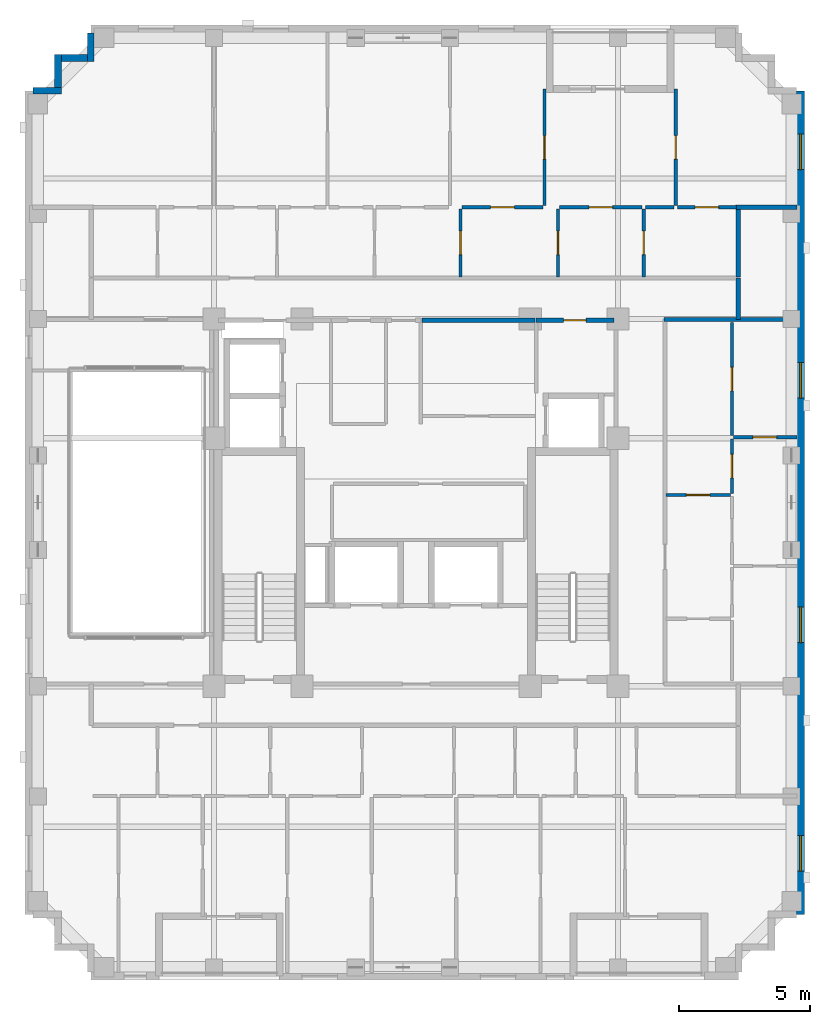
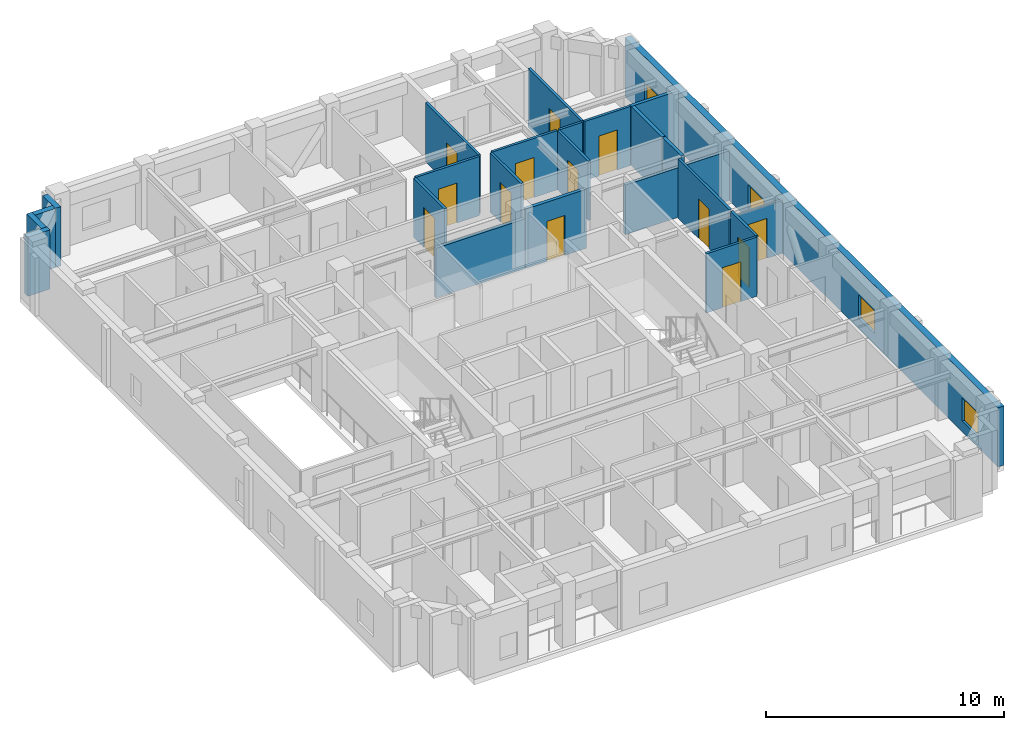
# One storey, part 8 of 12: 24 walls, 13 doors, 4 windows, 17 openings.
"""IFC4 building model written with IfcOpenShell, lengths in metres."""

from ifc_helpers import new_model, si_unit, derived_unit, direction, frame, frame_2d, origin, place, context, subcontext, project, spatial, rectangle, extrude, material, layer, layer_set, type_object, element, fill, save


model = new_model("IFC4")

# Units and contexts
model_context = context("Model", 3, precision=1e-05, world=origin(), true_north=direction((0.0, 1.0)))
body_context = subcontext(model_context, "Body", "Model", "MODEL_VIEW")
ifc_project = project(units=[si_unit("LENGTHUNIT", "METRE"), si_unit("AREAUNIT", "SQUARE_METRE"), si_unit("VOLUMEUNIT", "CUBIC_METRE"), si_unit("PLANEANGLEUNIT", "RADIAN"), si_unit("MASSUNIT", "GRAM", prefix="KILO"), derived_unit("THERMALTRANSMITTANCEUNIT", [(si_unit("MASSUNIT", "GRAM", prefix="KILO"), 1), (si_unit("TIMEUNIT", "SECOND"), -3), (si_unit("THERMODYNAMICTEMPERATUREUNIT", "KELVIN"), -1)])], contexts=[model_context])

# Site, building, storey
site_placement = place(None, origin())
site = spatial("IfcSite", under=ifc_project, at=site_placement, CompositionType="ELEMENT")
building_placement = place(site_placement, origin())
building = spatial("IfcBuilding", under=site, at=building_placement, Name="Korrvale Station Residences", CompositionType="ELEMENT")
storey_placement = place(building_placement, frame((0.0, 0.0, 184.300048828125)))
storey = spatial("IfcBuildingStorey", under=building, at=storey_placement, Name="L53", CompositionType="ELEMENT", Elevation=184.300048828125)

# Walls
ifc_material_1 = material(Name="Precast concrete C45/55", Category="concrete")
ifc_layer_1 = layer(ifc_material_1, 0.260009765625, Name="Precast concrete C45/55")
ifc_layer_set_1 = layer_set([ifc_layer_1], Name="Precast concrete C45/55")
wall_type_1 = type_object("IfcWallType", Name="WAL-EXT-LOG260", PredefinedType="SOLIDWALL", material=ifc_layer_set_1)
wall_1_placement = place(storey_placement, frame((10.902099609375, 37.699951171875, 0.0), z_axis=(0.0, 0.0, 1.0), x_axis=(1.0, 0.0, 0.0)))
element("IfcWall", 1, at=wall_1_placement, inside=storey, type_object=wall_type_1, Name="L53 Serrated Corner Precast Step NW-1", PredefinedType="SOLIDWALL", context=body_context, shape_type="SweptSolid", body=[
    extrude(rectangle(XDim=1.077880859375, YDim=0.260009765625, at=frame_2d((0.5390625, 0.0))), origin(), (0.0, 0.0, 1.0), 3.0400390625),
])
wall_2_placement = place(storey_placement, frame((11.85009765625, 37.83203125, 0.0), z_axis=(0.0, 0.0, 1.0), x_axis=(0.0, 1.0, 0.0)))
element("IfcWall", 2, at=wall_2_placement, inside=storey, type_object=wall_type_1, Name="L53 Serrated Corner Precast Step NW-2", PredefinedType="SOLIDWALL", context=body_context, shape_type="SweptSolid", body=[
    extrude(rectangle(XDim=1.248046875, YDim=0.260009765625, at=frame_2d((0.6240234375, 0.0))), origin(), (0.0, 0.0, 1.0), 3.0400390625),
])
wall_3_placement = place(storey_placement, frame((11.98193359375, 38.949951171875, 0.0), z_axis=(0.0, 0.0, 1.0), x_axis=(1.0, 0.0, 0.0)))
element("IfcWall", 3, at=wall_3_placement, inside=storey, type_object=wall_type_1, Name="L53 Serrated Corner Precast Step NW-3", PredefinedType="SOLIDWALL", context=body_context, shape_type="SweptSolid", body=[
    extrude(rectangle(XDim=0.986083984375, YDim=0.260009765625, at=frame_2d((0.4931640625, 0.0))), origin(), (0.0, 0.0, 1.0), 3.0400390625),
])
wall_4_placement = place(storey_placement, frame((13.10009765625, 38.820068359375, 0.0), z_axis=(0.0, 0.0, 1.0), x_axis=(0.0, 1.0, 0.0)))
element("IfcWall", 4, at=wall_4_placement, inside=storey, type_object=wall_type_1, Name="L53 Serrated Corner Precast Step NW-4", PredefinedType="SOLIDWALL", context=body_context, shape_type="SweptSolid", body=[
    extrude(rectangle(XDim=1.077880859375, YDim=0.260009765625, at=frame_2d((0.5390625, 0.0))), origin(), (0.0, 0.0, 1.0), 3.0400390625),
])

# Wall, openings, windows
ifc_layer_2 = layer(ifc_material_1, 0.300048828125, Name="Precast concrete C45/55")
ifc_layer_set_2 = layer_set([ifc_layer_2], Name="Precast concrete C45/55")
wall_type_2 = type_object("IfcWallType", Name="WAL-EXT-PC300", PredefinedType="SOLIDWALL", material=ifc_layer_set_2)
wall_5_placement = place(storey_placement, frame((40.14990234375, 37.699951171875, 0.0), z_axis=(0.0, 0.0, 1.0), x_axis=(0.0, -1.0, 0.0)))
wall_5 = element("IfcWall", 5, at=wall_5_placement, inside=storey, type_object=wall_type_2, Name="L53 East Exterior Precast Wall 1", PredefinedType="SOLIDWALL", context=body_context, shape_type="SweptSolid", body=[
    extrude(rectangle(XDim=31.39990234375, YDim=0.300048828125, at=frame_2d((15.699951171875, 0.0))), origin(), (0.0, 0.0, 1.0), 3.0400390625),
])
opening_1_placement = place(wall_5_placement, frame((28.39599609375, 0.0, 0.550048828125)))
opening_1 = element("IfcOpeningElement", 6, at=opening_1_placement, cuts=wall_5, Name="Opening W-10", PredefinedType="OPENING", context=body_context, shape_type="SweptSolid", body=[
    extrude(rectangle(XDim=1.35009765625, YDim=1.199951171875, at=frame_2d((0.675048828125, 0.60009765625))), frame((0.0, 0.16015625, 0.0), z_axis=(0.0, -1.0, 0.0), x_axis=(1.0, 0.0, 0.0)), (0.0, 0.0, 1.0), 0.320068359375),
])
opening_2_placement = place(wall_5_placement, frame((1.653076171875, 0.0, 0.550048828125)))
opening_2 = element("IfcOpeningElement", 7, at=opening_2_placement, cuts=wall_5, Name="Opening W-10", PredefinedType="OPENING", context=body_context, shape_type="SweptSolid", body=[
    extrude(rectangle(XDim=1.35009765625, YDim=1.199951171875, at=frame_2d((0.675048828125, 0.60009765625))), frame((0.0, 0.16015625, 0.0), z_axis=(0.0, -1.0, 0.0), x_axis=(1.0, 0.0, 0.0)), (0.0, 0.0, 1.0), 0.320068359375),
])
opening_3_placement = place(wall_5_placement, frame((19.68310546875, 0.0, 0.550048828125)))
opening_3 = element("IfcOpeningElement", 8, at=opening_3_placement, cuts=wall_5, Name="Opening W-10", PredefinedType="OPENING", context=body_context, shape_type="SweptSolid", body=[
    extrude(rectangle(XDim=1.35009765625, YDim=1.199951171875, at=frame_2d((0.675048828125, 0.60009765625))), frame((0.0, 0.16015625, 0.0), z_axis=(0.0, -1.0, 0.0), x_axis=(1.0, 0.0, 0.0)), (0.0, 0.0, 1.0), 0.320068359375),
])
opening_4_placement = place(wall_5_placement, frame((10.366943359375, 0.0, 0.550048828125)))
opening_4 = element("IfcOpeningElement", 9, at=opening_4_placement, cuts=wall_5, Name="Opening W-10", PredefinedType="OPENING", context=body_context, shape_type="SweptSolid", body=[
    extrude(rectangle(XDim=1.35009765625, YDim=1.199951171875, at=frame_2d((0.675048828125, 0.60009765625))), frame((0.0, 0.16015625, 0.0), z_axis=(0.0, -1.0, 0.0), x_axis=(1.0, 0.0, 0.0)), (0.0, 0.0, 1.0), 0.320068359375),
])
ifc_material_2 = material(Name="Thermally broken aluminium frame with triple low-e glazing", Category="aluminium")
window_type = type_object("IfcWindowType", Name="WIN-W10", PartitioningType="SINGLE_PANEL", PredefinedType="WINDOW", material=ifc_material_2)
window_1_placement = place(opening_1_placement, origin())
window_1 = element("IfcWindow", 10, at=window_1_placement, inside=storey, type_object=window_type, Name="L53 Punched Window 07", OverallHeight=1.199951171875, OverallWidth=1.35009765625, PartitioningType="SINGLE_PANEL", PredefinedType="WINDOW", context=body_context, shape_type="SweptSolid", body=[
    extrude(rectangle(XDim=1.35009765625, YDim=1.199951171875, at=frame_2d((0.675048828125, 0.60009765625))), frame((0.0, 0.030029296875, 0.0), z_axis=(0.0, -1.0, 0.0), x_axis=(1.0, 0.0, 0.0)), (0.0, 0.0, 1.0), 0.06005859375),
])
fill(opening_1, window_1)
window_2_placement = place(opening_2_placement, origin())
window_2 = element("IfcWindow", 11, at=window_2_placement, inside=storey, type_object=window_type, Name="L53 Punched Window 12", OverallHeight=1.199951171875, OverallWidth=1.35009765625, PartitioningType="SINGLE_PANEL", PredefinedType="WINDOW", context=body_context, shape_type="SweptSolid", body=[
    extrude(rectangle(XDim=1.35009765625, YDim=1.199951171875, at=frame_2d((0.675048828125, 0.60009765625))), frame((0.0, 0.030029296875, 0.0), z_axis=(0.0, -1.0, 0.0), x_axis=(1.0, 0.0, 0.0)), (0.0, 0.0, 1.0), 0.06005859375),
])
fill(opening_2, window_2)
window_3_placement = place(opening_3_placement, origin())
window_3 = element("IfcWindow", 12, at=window_3_placement, inside=storey, type_object=window_type, Name="L53 Punched Window 13", OverallHeight=1.199951171875, OverallWidth=1.35009765625, PartitioningType="SINGLE_PANEL", PredefinedType="WINDOW", context=body_context, shape_type="SweptSolid", body=[
    extrude(rectangle(XDim=1.35009765625, YDim=1.199951171875, at=frame_2d((0.675048828125, 0.60009765625))), frame((0.0, 0.030029296875, 0.0), z_axis=(0.0, -1.0, 0.0), x_axis=(1.0, 0.0, 0.0)), (0.0, 0.0, 1.0), 0.06005859375),
])
fill(opening_3, window_3)
window_4_placement = place(opening_4_placement, origin())
window_4 = element("IfcWindow", 13, at=window_4_placement, inside=storey, type_object=window_type, Name="L53 Punched Window 14", OverallHeight=1.199951171875, OverallWidth=1.35009765625, PartitioningType="SINGLE_PANEL", PredefinedType="WINDOW", context=body_context, shape_type="SweptSolid", body=[
    extrude(rectangle(XDim=1.35009765625, YDim=1.199951171875, at=frame_2d((0.675048828125, 0.60009765625))), frame((0.0, 0.030029296875, 0.0), z_axis=(0.0, -1.0, 0.0), x_axis=(1.0, 0.0, 0.0)), (0.0, 0.0, 1.0), 0.06005859375),
])
fill(opening_4, window_4)

# Wall, opening, door
ifc_material_3 = material(Name="Acoustic steel-stud gypsum board partition", Category="steel")
ifc_layer_3 = layer(ifc_material_3, 0.1201171875, Name="Acoustic steel-stud gypsum board partition")
ifc_layer_set_3 = layer_set([ifc_layer_3], Name="Acoustic steel-stud gypsum board partition")
wall_type_3 = type_object("IfcWallType", Name="WAL-PART-125", PredefinedType="PARTITIONING", material=ifc_layer_set_3)
wall_6_placement = place(storey_placement, frame((27.18994140625, 30.60009765625, 0.0), z_axis=(0.0, 0.0, 1.0), x_axis=(0.0, 1.0, 0.0)))
wall_6 = element("IfcWall", 14, at=wall_6_placement, inside=storey, type_object=wall_type_3, Name="L53 Suite Partition U02-V34", PredefinedType="PARTITIONING", context=body_context, shape_type="SweptSolid", body=[
    extrude(rectangle(XDim=2.599853515625, YDim=0.1201171875, at=frame_2d((1.2998046875, 0.0))), origin(), (0.0, 0.0, 1.0), 3.0400390625),
])
opening_5_placement = place(wall_6_placement, frame((0.85009765625, 0.0, 0.0)))
opening_5 = element("IfcOpeningElement", 15, at=opening_5_placement, cuts=wall_6, Name="Opening DI-900", PredefinedType="OPENING", context=body_context, shape_type="SweptSolid", body=[
    extrude(rectangle(XDim=0.89990234375, YDim=2.050048828125, at=frame_2d((0.449951171875, 1.02490234375))), frame((0.0, 0.070068359375, 0.0), z_axis=(0.0, -1.0, 0.0), x_axis=(1.0, 0.0, 0.0)), (0.0, 0.0, 1.0), 0.14013671875),
])
ifc_material_4 = material(Name="Painted solid-core timber interior room door", Category="wood")
door_type_1 = type_object("IfcDoorType", Name="DR-INT-900", OperationType="NOTDEFINED", PredefinedType="DOOR", material=ifc_material_4)
door_1_placement = place(opening_5_placement, origin())
door_1 = element("IfcDoor", 16, at=door_1_placement, inside=storey, type_object=door_type_1, Name="L53 Apartment 3BR L53-U02 Storage Closet 2 Door", OperationType="SINGLE_SWING_RIGHT", OverallHeight=2.050048828125, OverallWidth=0.89990234375, PredefinedType="DOOR", context=body_context, shape_type="SweptSolid", body=[
    extrude(rectangle(XDim=0.89990234375, YDim=2.050048828125, at=frame_2d((0.449951171875, 1.02490234375))), frame((0.0, 0.02490234375, 0.0), z_axis=(0.0, -1.0, 0.0), x_axis=(1.0, 0.0, 0.0)), (0.0, 0.0, 1.0), 0.050048828125),
])
fill(opening_5, door_1)

wall_7_placement = place(storey_placement, frame((30.909912109375, 30.60009765625, 0.0), z_axis=(0.0, 0.0, 1.0), x_axis=(0.0, 1.0, 0.0)))
wall_7 = element("IfcWall", 17, at=wall_7_placement, inside=storey, type_object=wall_type_3, Name="L53 Suite Partition U02-V45", PredefinedType="PARTITIONING", context=body_context, shape_type="SweptSolid", body=[
    extrude(rectangle(XDim=2.599853515625, YDim=0.1201171875, at=frame_2d((1.2998046875, 0.0))), origin(), (0.0, 0.0, 1.0), 3.0400390625),
])
opening_6_placement = place(wall_7_placement, frame((0.85009765625, 0.0, 0.0)))
opening_6 = element("IfcOpeningElement", 18, at=opening_6_placement, cuts=wall_7, Name="Opening DI-900", PredefinedType="OPENING", context=body_context, shape_type="SweptSolid", body=[
    extrude(rectangle(XDim=0.89990234375, YDim=2.050048828125, at=frame_2d((0.449951171875, 1.02490234375))), frame((0.0, 0.070068359375, 0.0), z_axis=(0.0, -1.0, 0.0), x_axis=(1.0, 0.0, 0.0)), (0.0, 0.0, 1.0), 0.14013671875),
])
door_2_placement = place(opening_6_placement, origin())
door_2 = element("IfcDoor", 19, at=door_2_placement, inside=storey, type_object=door_type_1, Name="L53 Apartment 3BR L53-U02 Storage Closet 3 Door", OperationType="SINGLE_SWING_RIGHT", OverallHeight=2.050048828125, OverallWidth=0.89990234375, PredefinedType="DOOR", context=body_context, shape_type="SweptSolid", body=[
    extrude(rectangle(XDim=0.89990234375, YDim=2.050048828125, at=frame_2d((0.449951171875, 1.02490234375))), frame((0.0, 0.02490234375, 0.0), z_axis=(0.0, -1.0, 0.0), x_axis=(1.0, 0.0, 0.0)), (0.0, 0.0, 1.0), 0.050048828125),
])
fill(opening_6, door_2)

wall_8_placement = place(storey_placement, frame((27.25, 33.260009765625, 0.0), z_axis=(0.0, 0.0, 1.0), x_axis=(1.0, 0.0, 0.0)))
wall_8 = element("IfcWall", 20, at=wall_8_placement, inside=storey, type_object=wall_type_3, Name="L53 Suite Partition U02-H410", PredefinedType="PARTITIONING", context=body_context, shape_type="SweptSolid", body=[
    extrude(rectangle(XDim=3.090087890625, YDim=0.1201171875, at=frame_2d((1.544921875, 0.0))), origin(), (0.0, 0.0, 1.0), 3.0400390625),
])
opening_7_placement = place(wall_8_placement, frame((1.094970703125, 0.0, 0.0)))
opening_7 = element("IfcOpeningElement", 21, at=opening_7_placement, cuts=wall_8, Name="Opening DI-900", PredefinedType="OPENING", context=body_context, shape_type="SweptSolid", body=[
    extrude(rectangle(XDim=0.89990234375, YDim=2.050048828125, at=frame_2d((0.449951171875, 1.02490234375))), frame((0.0, 0.070068359375, 0.0), z_axis=(0.0, -1.0, 0.0), x_axis=(1.0, 0.0, 0.0)), (0.0, 0.0, 1.0), 0.14013671875),
])
door_3_placement = place(opening_7_placement, origin())
door_3 = element("IfcDoor", 22, at=door_3_placement, inside=storey, type_object=door_type_1, Name="L53 Apartment 3BR L53-U02 Storage Closet 3 Door", OperationType="SINGLE_SWING_LEFT", OverallHeight=2.050048828125, OverallWidth=0.89990234375, PredefinedType="DOOR", context=body_context, shape_type="SweptSolid", body=[
    extrude(rectangle(XDim=0.89990234375, YDim=2.050048828125, at=frame_2d((0.449951171875, 1.02490234375))), frame((0.0, 0.02490234375, 0.0), z_axis=(0.0, -1.0, 0.0), x_axis=(1.0, 0.0, 0.0)), (0.0, 0.0, 1.0), 0.050048828125),
])
fill(opening_7, door_3)

wall_9_placement = place(storey_placement, frame((34.179931640625, 30.60009765625, 0.0), z_axis=(0.0, 0.0, 1.0), x_axis=(0.0, 1.0, 0.0)))
wall_9 = element("IfcWall", 23, at=wall_9_placement, inside=storey, type_object=wall_type_3, Name="L53 Suite Partition U02-V56", PredefinedType="PARTITIONING", context=body_context, shape_type="SweptSolid", body=[
    extrude(rectangle(XDim=2.599853515625, YDim=0.1201171875, at=frame_2d((1.2998046875, 0.0))), origin(), (0.0, 0.0, 1.0), 3.0400390625),
])
opening_8_placement = place(wall_9_placement, frame((0.85009765625, 0.0, 0.0)))
opening_8 = element("IfcOpeningElement", 24, at=opening_8_placement, cuts=wall_9, Name="Opening DI-900", PredefinedType="OPENING", context=body_context, shape_type="SweptSolid", body=[
    extrude(rectangle(XDim=0.89990234375, YDim=2.050048828125, at=frame_2d((0.449951171875, 1.02490234375))), frame((0.0, 0.070068359375, 0.0), z_axis=(0.0, -1.0, 0.0), x_axis=(1.0, 0.0, 0.0)), (0.0, 0.0, 1.0), 0.14013671875),
])
door_4_placement = place(opening_8_placement, origin())
door_4 = element("IfcDoor", 25, at=door_4_placement, inside=storey, type_object=door_type_1, Name="L53 Apartment 3BR L53-U02 Storage Closet 4 Door", OperationType="SINGLE_SWING_RIGHT", OverallHeight=2.050048828125, OverallWidth=0.89990234375, PredefinedType="DOOR", context=body_context, shape_type="SweptSolid", body=[
    extrude(rectangle(XDim=0.89990234375, YDim=2.050048828125, at=frame_2d((0.449951171875, 1.02490234375))), frame((0.0, 0.02490234375, 0.0), z_axis=(0.0, -1.0, 0.0), x_axis=(1.0, 0.0, 0.0)), (0.0, 0.0, 1.0), 0.050048828125),
])
fill(opening_8, door_4)

wall_10_placement = place(storey_placement, frame((30.969970703125, 33.260009765625, 0.0), z_axis=(0.0, 0.0, 1.0), x_axis=(1.0, 0.0, 0.0)))
wall_10 = element("IfcWall", 26, at=wall_10_placement, inside=storey, type_object=wall_type_3, Name="L53 Suite Partition U02-H511", PredefinedType="PARTITIONING", context=body_context, shape_type="SweptSolid", body=[
    extrude(rectangle(XDim=3.150146484375, YDim=0.1201171875, at=frame_2d((1.5751953125, 0.0))), origin(), (0.0, 0.0, 1.0), 3.0400390625),
])
opening_9_placement = place(wall_10_placement, frame((1.125, 0.0, 0.0)))
opening_9 = element("IfcOpeningElement", 27, at=opening_9_placement, cuts=wall_10, Name="Opening DI-900", PredefinedType="OPENING", context=body_context, shape_type="SweptSolid", body=[
    extrude(rectangle(XDim=0.89990234375, YDim=2.050048828125, at=frame_2d((0.449951171875, 1.02490234375))), frame((0.0, 0.070068359375, 0.0), z_axis=(0.0, -1.0, 0.0), x_axis=(1.0, 0.0, 0.0)), (0.0, 0.0, 1.0), 0.14013671875),
])
door_5_placement = place(opening_9_placement, origin())
door_5 = element("IfcDoor", 28, at=door_5_placement, inside=storey, type_object=door_type_1, Name="L53 Apartment 3BR L53-U02 Storage Closet 4 Door", OperationType="SINGLE_SWING_LEFT", OverallHeight=2.050048828125, OverallWidth=0.89990234375, PredefinedType="DOOR", context=body_context, shape_type="SweptSolid", body=[
    extrude(rectangle(XDim=0.89990234375, YDim=2.050048828125, at=frame_2d((0.449951171875, 1.02490234375))), frame((0.0, 0.02490234375, 0.0), z_axis=(0.0, -1.0, 0.0), x_axis=(1.0, 0.0, 0.0)), (0.0, 0.0, 1.0), 0.050048828125),
])
fill(opening_9, door_5)

# Wall
wall_11_placement = place(storey_placement, frame((34.239990234375, 33.260009765625, 0.0), z_axis=(0.0, 0.0, 1.0), x_axis=(1.0, 0.0, 0.0)))
element("IfcWall", 29, at=wall_11_placement, inside=storey, type_object=wall_type_3, Name="L53 Suite Partition U02-H611", PredefinedType="PARTITIONING", context=body_context, shape_type="SweptSolid", body=[
    extrude(rectangle(XDim=1.10009765625, YDim=0.1201171875, at=frame_2d((0.550048828125, 0.0))), origin(), (0.0, 0.0, 1.0), 3.0400390625),
])

# Wall, opening, door
wall_12_placement = place(storey_placement, frame((35.4599609375, 33.260009765625, 0.0), z_axis=(0.0, 0.0, 1.0), x_axis=(1.0, 0.0, 0.0)))
wall_12 = element("IfcWall", 30, at=wall_12_placement, inside=storey, type_object=wall_type_3, Name="L53 Suite Partition U02-H612", PredefinedType="PARTITIONING", context=body_context, shape_type="SweptSolid", body=[
    extrude(rectangle(XDim=2.260009765625, YDim=0.1201171875, at=frame_2d((1.1298828125, 0.0))), origin(), (0.0, 0.0, 1.0), 3.0400390625),
])
opening_10_placement = place(wall_12_placement, frame((0.679931640625, 0.0, 0.0)))
opening_10 = element("IfcOpeningElement", 31, at=opening_10_placement, cuts=wall_12, Name="Opening DI-900", PredefinedType="OPENING", context=body_context, shape_type="SweptSolid", body=[
    extrude(rectangle(XDim=0.89990234375, YDim=2.050048828125, at=frame_2d((0.449951171875, 1.02490234375))), frame((0.0, 0.070068359375, 0.0), z_axis=(0.0, -1.0, 0.0), x_axis=(1.0, 0.0, 0.0)), (0.0, 0.0, 1.0), 0.14013671875),
])
door_6_placement = place(opening_10_placement, origin())
door_6 = element("IfcDoor", 32, at=door_6_placement, inside=storey, type_object=door_type_1, Name="L53 Apartment 3BR L53-U02 Storage Closet 5 Door", OperationType="SINGLE_SWING_RIGHT", OverallHeight=2.050048828125, OverallWidth=0.89990234375, PredefinedType="DOOR", context=body_context, shape_type="SweptSolid", body=[
    extrude(rectangle(XDim=0.89990234375, YDim=2.050048828125, at=frame_2d((0.449951171875, 1.02490234375))), frame((0.0, 0.02490234375, 0.0), z_axis=(0.0, -1.0, 0.0), x_axis=(1.0, 0.0, 0.0)), (0.0, 0.0, 1.0), 0.050048828125),
])
fill(opening_10, door_6)

wall_13_placement = place(storey_placement, frame((30.39990234375, 33.320068359375, 0.0), z_axis=(0.0, 0.0, 1.0), x_axis=(0.0, 1.0, 0.0)))
wall_13 = element("IfcWall", 33, at=wall_13_placement, inside=storey, type_object=wall_type_3, Name="L53 Suite Partition U02-V1011", PredefinedType="PARTITIONING", context=body_context, shape_type="SweptSolid", body=[
    extrude(rectangle(XDim=4.449951171875, YDim=0.1201171875, at=frame_2d((2.22509765625, 0.0))), origin(), (0.0, 0.0, 1.0), 3.0400390625),
])
opening_11_placement = place(wall_13_placement, frame((1.77490234375, 0.0, 0.0)))
opening_11 = element("IfcOpeningElement", 34, at=opening_11_placement, cuts=wall_13, Name="Opening DI-900", PredefinedType="OPENING", context=body_context, shape_type="SweptSolid", body=[
    extrude(rectangle(XDim=0.89990234375, YDim=2.050048828125, at=frame_2d((0.449951171875, 1.02490234375))), frame((0.0, 0.070068359375, 0.0), z_axis=(0.0, -1.0, 0.0), x_axis=(1.0, 0.0, 0.0)), (0.0, 0.0, 1.0), 0.14013671875),
])
door_7_placement = place(opening_11_placement, origin())
door_7 = element("IfcDoor", 35, at=door_7_placement, inside=storey, type_object=door_type_1, Name="L53 Apartment 3BR L53-U02 Bedroom 1 Door", OperationType="SINGLE_SWING_RIGHT", OverallHeight=2.050048828125, OverallWidth=0.89990234375, PredefinedType="DOOR", context=body_context, shape_type="SweptSolid", body=[
    extrude(rectangle(XDim=0.89990234375, YDim=2.050048828125, at=frame_2d((0.449951171875, 1.02490234375))), frame((0.0, 0.02490234375, 0.0), z_axis=(0.0, -1.0, 0.0), x_axis=(1.0, 0.0, 0.0)), (0.0, 0.0, 1.0), 0.050048828125),
])
fill(opening_11, door_7)

wall_14_placement = place(storey_placement, frame((35.39990234375, 33.320068359375, 0.0), z_axis=(0.0, 0.0, 1.0), x_axis=(0.0, 1.0, 0.0)))
wall_14 = element("IfcWall", 36, at=wall_14_placement, inside=storey, type_object=wall_type_3, Name="L53 Suite Partition U02-V1112", PredefinedType="PARTITIONING", context=body_context, shape_type="SweptSolid", body=[
    extrude(rectangle(XDim=4.449951171875, YDim=0.1201171875, at=frame_2d((2.22509765625, 0.0))), origin(), (0.0, 0.0, 1.0), 3.0400390625),
])
opening_12_placement = place(wall_14_placement, frame((1.77490234375, 0.0, 0.0)))
opening_12 = element("IfcOpeningElement", 37, at=opening_12_placement, cuts=wall_14, Name="Opening DI-900", PredefinedType="OPENING", context=body_context, shape_type="SweptSolid", body=[
    extrude(rectangle(XDim=0.89990234375, YDim=2.050048828125, at=frame_2d((0.449951171875, 1.02490234375))), frame((0.0, 0.070068359375, 0.0), z_axis=(0.0, -1.0, 0.0), x_axis=(1.0, 0.0, 0.0)), (0.0, 0.0, 1.0), 0.14013671875),
])
door_8_placement = place(opening_12_placement, origin())
door_8 = element("IfcDoor", 38, at=door_8_placement, inside=storey, type_object=door_type_1, Name="L53 Apartment 3BR L53-U02 Bedroom 2 Door", OperationType="SINGLE_SWING_LEFT", OverallHeight=2.050048828125, OverallWidth=0.89990234375, PredefinedType="DOOR", context=body_context, shape_type="SweptSolid", body=[
    extrude(rectangle(XDim=0.89990234375, YDim=2.050048828125, at=frame_2d((0.449951171875, 1.02490234375))), frame((0.0, 0.02490234375, 0.0), z_axis=(0.0, -1.0, 0.0), x_axis=(1.0, 0.0, 0.0)), (0.0, 0.0, 1.0), 0.050048828125),
])
fill(opening_12, door_8)

wall_15_placement = place(storey_placement, frame((35.030029296875, 22.2900390625, 0.0), z_axis=(0.0, 0.0, 1.0), x_axis=(1.0, 0.0, 0.0)))
wall_15 = element("IfcWall", 39, at=wall_15_placement, inside=storey, type_object=wall_type_3, Name="L53 Suite Partition U03-H02", PredefinedType="PARTITIONING", context=body_context, shape_type="SweptSolid", body=[
    extrude(rectangle(XDim=2.449951171875, YDim=0.1201171875, at=frame_2d((1.22509765625, 0.0))), origin(), (0.0, 0.0, 1.0), 3.0400390625),
])
opening_13_placement = place(wall_15_placement, frame((0.77490234375, 0.0, 0.0)))
opening_13 = element("IfcOpeningElement", 40, at=opening_13_placement, cuts=wall_15, Name="Opening DI-900", PredefinedType="OPENING", context=body_context, shape_type="SweptSolid", body=[
    extrude(rectangle(XDim=0.89990234375, YDim=2.050048828125, at=frame_2d((0.449951171875, 1.02490234375))), frame((0.0, 0.070068359375, 0.0), z_axis=(0.0, -1.0, 0.0), x_axis=(1.0, 0.0, 0.0)), (0.0, 0.0, 1.0), 0.14013671875),
])
door_9_placement = place(opening_13_placement, origin())
door_9 = element("IfcDoor", 41, at=door_9_placement, inside=storey, type_object=door_type_1, Name="L53 Apartment 2BR L53-U03 Wardrobe Storage Room Door", OperationType="SINGLE_SWING_RIGHT", OverallHeight=2.050048828125, OverallWidth=0.89990234375, PredefinedType="DOOR", context=body_context, shape_type="SweptSolid", body=[
    extrude(rectangle(XDim=0.89990234375, YDim=2.050048828125, at=frame_2d((0.449951171875, 1.02490234375))), frame((0.0, 0.02490234375, 0.0), z_axis=(0.0, -1.0, 0.0), x_axis=(1.0, 0.0, 0.0)), (0.0, 0.0, 1.0), 0.050048828125),
])
fill(opening_13, door_9)

wall_16_placement = place(storey_placement, frame((37.5400390625, 22.35009765625, 0.0), z_axis=(0.0, 0.0, 1.0), x_axis=(0.0, 1.0, 0.0)))
wall_16 = element("IfcWall", 42, at=wall_16_placement, inside=storey, type_object=wall_type_3, Name="L53 Suite Partition U03-V04", PredefinedType="PARTITIONING", context=body_context, shape_type="SweptSolid", body=[
    extrude(rectangle(XDim=2.081787109375, YDim=0.1201171875, at=frame_2d((1.041015625, 0.0))), origin(), (0.0, 0.0, 1.0), 3.0400390625),
])
opening_14_placement = place(wall_16_placement, frame((0.591064453125, 0.0, 0.0)))
opening_14 = element("IfcOpeningElement", 43, at=opening_14_placement, cuts=wall_16, Name="Opening DI-900", PredefinedType="OPENING", context=body_context, shape_type="SweptSolid", body=[
    extrude(rectangle(XDim=0.89990234375, YDim=2.050048828125, at=frame_2d((0.449951171875, 1.02490234375))), frame((0.0, 0.070068359375, 0.0), z_axis=(0.0, -1.0, 0.0), x_axis=(1.0, 0.0, 0.0)), (0.0, 0.0, 1.0), 0.14013671875),
])
door_10_placement = place(opening_14_placement, origin())
door_10 = element("IfcDoor", 44, at=door_10_placement, inside=storey, type_object=door_type_1, Name="L53 Apartment 2BR L53-U03 Wardrobe Storage Room Door", OperationType="SINGLE_SWING_LEFT", OverallHeight=2.050048828125, OverallWidth=0.89990234375, PredefinedType="DOOR", context=body_context, shape_type="SweptSolid", body=[
    extrude(rectangle(XDim=0.89990234375, YDim=2.050048828125, at=frame_2d((0.449951171875, 1.02490234375))), frame((0.0, 0.02490234375, 0.0), z_axis=(0.0, -1.0, 0.0), x_axis=(1.0, 0.0, 0.0)), (0.0, 0.0, 1.0), 0.050048828125),
])
fill(opening_14, door_10)

wall_17_placement = place(storey_placement, frame((37.5400390625, 24.552001953125, 0.0), z_axis=(0.0, 0.0, 1.0), x_axis=(0.0, 1.0, 0.0)))
wall_17 = element("IfcWall", 45, at=wall_17_placement, inside=storey, type_object=wall_type_3, Name="L53 Suite Partition U03-V05", PredefinedType="PARTITIONING", context=body_context, shape_type="SweptSolid", body=[
    extrude(rectangle(XDim=4.30810546875, YDim=0.1201171875, at=frame_2d((2.154052734375, 0.0))), origin(), (0.0, 0.0, 1.0), 3.0400390625),
])
opening_15_placement = place(wall_17_placement, frame((1.7041015625, 0.0, 0.0)))
opening_15 = element("IfcOpeningElement", 46, at=opening_15_placement, cuts=wall_17, Name="Opening DI-900", PredefinedType="OPENING", context=body_context, shape_type="SweptSolid", body=[
    extrude(rectangle(XDim=0.89990234375, YDim=2.050048828125, at=frame_2d((0.449951171875, 1.02490234375))), frame((0.0, 0.070068359375, 0.0), z_axis=(0.0, -1.0, 0.0), x_axis=(1.0, 0.0, 0.0)), (0.0, 0.0, 1.0), 0.14013671875),
])
door_11_placement = place(opening_15_placement, origin())
door_11 = element("IfcDoor", 47, at=door_11_placement, inside=storey, type_object=door_type_1, Name="L53 Apartment 2BR L53-U03 Wardrobe Storage Room Door", OperationType="SINGLE_SWING_RIGHT", OverallHeight=2.050048828125, OverallWidth=0.89990234375, PredefinedType="DOOR", context=body_context, shape_type="SweptSolid", body=[
    extrude(rectangle(XDim=0.89990234375, YDim=2.050048828125, at=frame_2d((0.449951171875, 1.02490234375))), frame((0.0, 0.02490234375, 0.0), z_axis=(0.0, -1.0, 0.0), x_axis=(1.0, 0.0, 0.0)), (0.0, 0.0, 1.0), 0.050048828125),
])
fill(opening_15, door_11)

wall_18_placement = place(storey_placement, frame((37.60009765625, 24.491943359375, 0.0), z_axis=(0.0, 0.0, 1.0), x_axis=(1.0, 0.0, 0.0)))
wall_18 = element("IfcWall", 48, at=wall_18_placement, inside=storey, type_object=wall_type_3, Name="L53 Suite Partition U03-H45", PredefinedType="PARTITIONING", context=body_context, shape_type="SweptSolid", body=[
    extrude(rectangle(XDim=2.419921875, YDim=0.1201171875, at=frame_2d((1.2099609375, 0.0))), origin(), (0.0, 0.0, 1.0), 2.721923828125),
])
opening_16_placement = place(wall_18_placement, frame((0.7451171875, 0.0, 0.0)))
opening_16 = element("IfcOpeningElement", 49, at=opening_16_placement, cuts=wall_18, Name="Opening DI-900", PredefinedType="OPENING", context=body_context, shape_type="SweptSolid", body=[
    extrude(rectangle(XDim=0.89990234375, YDim=2.050048828125, at=frame_2d((0.449951171875, 1.02490234375))), frame((0.0, 0.070068359375, 0.0), z_axis=(0.0, -1.0, 0.0), x_axis=(1.0, 0.0, 0.0)), (0.0, 0.0, 1.0), 0.14013671875),
])
door_12_placement = place(opening_16_placement, origin())
door_12 = element("IfcDoor", 50, at=door_12_placement, inside=storey, type_object=door_type_1, Name="L53 Apartment 2BR L53-U03 Living and Dining Room Door", OperationType="SINGLE_SWING_LEFT", OverallHeight=2.050048828125, OverallWidth=0.89990234375, PredefinedType="DOOR", context=body_context, shape_type="SweptSolid", body=[
    extrude(rectangle(XDim=0.89990234375, YDim=2.050048828125, at=frame_2d((0.449951171875, 1.02490234375))), frame((0.0, 0.02490234375, 0.0), z_axis=(0.0, -1.0, 0.0), x_axis=(1.0, 0.0, 0.0)), (0.0, 0.0, 1.0), 0.050048828125),
])
fill(opening_16, door_12)

ifc_material_5 = material(Name="Fire-rated twin-stud gypsum and mineral wool shaftwall assembly", Category="gypsum")
ifc_layer_4 = layer(ifc_material_5, 0.159912109375, Name="Fire-rated twin-stud gypsum and mineral wool shaftwall assembly")
ifc_layer_set_4 = layer_set([ifc_layer_4], Name="Fire-rated twin-stud gypsum and mineral wool shaftwall assembly")
wall_type_4 = type_object("IfcWallType", Name="WAL-PART-200", PredefinedType="PARTITIONING", material=ifc_layer_set_4)
wall_19_placement = place(storey_placement, frame((30.080078125, 28.949951171875, 0.0), z_axis=(0.0, 0.0, 1.0), x_axis=(1.0, 0.0, 0.0)))
wall_19 = element("IfcWall", 51, at=wall_19_placement, inside=storey, type_object=wall_type_4, Name="L53 Core Partition CW-CS-N", PredefinedType="PARTITIONING", context=body_context, shape_type="SweptSolid", body=[
    extrude(rectangle(XDim=2.9599609375, YDim=0.159912109375, at=frame_2d((1.47998046875, 0.0))), origin(), (0.0, 0.0, 1.0), 3.0400390625),
])
opening_17_placement = place(wall_19_placement, frame((1.044921875, 0.0, 0.0)))
opening_17 = element("IfcOpeningElement", 52, at=opening_17_placement, cuts=wall_19, Name="Opening DB-860", PredefinedType="OPENING", context=body_context, shape_type="SweptSolid", body=[
    extrude(rectangle(XDim=0.860107421875, YDim=2.050048828125, at=frame_2d((0.43017578125, 1.02490234375))), frame((0.0, 0.08984375, 0.0), z_axis=(0.0, -1.0, 0.0), x_axis=(1.0, 0.0, 0.0)), (0.0, 0.0, 1.0), 0.179931640625),
])
ifc_material_6 = material(Name="Moisture-resistant solid-core bathroom door", Category="timber")
door_type_2 = type_object("IfcDoorType", Name="DR-BATH-860", OperationType="NOTDEFINED", PredefinedType="DOOR", material=ifc_material_6)
door_13_placement = place(opening_17_placement, origin())
door_13 = element("IfcDoor", 53, at=door_13_placement, inside=storey, type_object=door_type_2, Name="L53 Parcel Room Door", OperationType="SINGLE_SWING_LEFT", OverallHeight=2.050048828125, OverallWidth=0.860107421875, PredefinedType="DOOR", context=body_context, shape_type="SweptSolid", body=[
    extrude(rectangle(XDim=0.860107421875, YDim=2.050048828125, at=frame_2d((0.43017578125, 1.02490234375))), frame((0.0, 0.02490234375, 0.0), z_axis=(0.0, -1.0, 0.0), x_axis=(1.0, 0.0, 0.0)), (0.0, 0.0, 1.0), 0.050048828125),
])
fill(opening_17, door_13)

# Walls
wall_20_placement = place(storey_placement, frame((25.719970703125, 28.949951171875, 0.0), z_axis=(0.0, 0.0, 1.0), x_axis=(1.0, 0.0, 0.0)))
element("IfcWall", 54, at=wall_20_placement, inside=storey, type_object=wall_type_4, Name="L53 Core Partition CW-FPLE-N", PredefinedType="PARTITIONING", context=body_context, shape_type="SweptSolid", body=[
    extrude(rectangle(XDim=4.320068359375, YDim=0.159912109375, at=frame_2d((2.16015625, 0.0))), origin(), (0.0, 0.0, 1.0), 2.555908203125),
])
wall_21_placement = place(storey_placement, frame((37.780029296875, 28.97998046875, 0.0), z_axis=(0.0, 0.0, 1.0), x_axis=(0.0, 1.0, 0.0)))
element("IfcWall", 55, at=wall_21_placement, inside=storey, type_object=wall_type_4, Name="L53 Corridor North East Cap", PredefinedType="PARTITIONING", context=body_context, shape_type="SweptSolid", body=[
    extrude(rectangle(XDim=1.580078125, YDim=0.159912109375, at=frame_2d((0.7900390625, 0.0))), origin(), (0.0, 0.0, 1.0), 3.0400390625),
])
wall_22_placement = place(storey_placement, frame((34.949951171875, 28.97998046875, 0.0), z_axis=(0.0, 0.0, 1.0), x_axis=(1.0, 0.0, 0.0)))
element("IfcWall", 56, at=wall_22_placement, inside=storey, type_object=wall_type_4, Name="L53 East Wing North Corridor Wall", PredefinedType="PARTITIONING", context=body_context, shape_type="SweptSolid", body=[
    extrude(rectangle(XDim=5.070068359375, YDim=0.159912109375, at=frame_2d((2.53515625, 0.0))), origin(), (0.0, 0.0, 1.0), 2.555908203125),
])
wall_23_placement = place(storey_placement, frame((37.679931640625, 33.260009765625, 0.0), z_axis=(0.0, 0.0, 1.0), x_axis=(1.0, 0.0, 0.0)))
element("IfcWall", 57, at=wall_23_placement, inside=storey, type_object=wall_type_4, Name="L53 Corner Step Wall U02-R", PredefinedType="PARTITIONING", context=body_context, shape_type="SweptSolid", body=[
    extrude(rectangle(XDim=2.340087890625, YDim=0.159912109375, at=frame_2d((1.169921875, 0.0))), origin(), (0.0, 0.0, 1.0), 3.0400390625),
])
wall_24_placement = place(storey_placement, frame((37.780029296875, 30.60009765625, 0.0), z_axis=(0.0, 0.0, 1.0), x_axis=(0.0, 1.0, 0.0)))
element("IfcWall", 58, at=wall_24_placement, inside=storey, type_object=wall_type_4, Name="L53 Corner Step Cheek U02-R", PredefinedType="PARTITIONING", context=body_context, shape_type="SweptSolid", body=[
    extrude(rectangle(XDim=2.659912109375, YDim=0.159912109375, at=frame_2d((1.330078125, 0.0))), origin(), (0.0, 0.0, 1.0), 3.0400390625),
])

save(model, "model.ifc")
